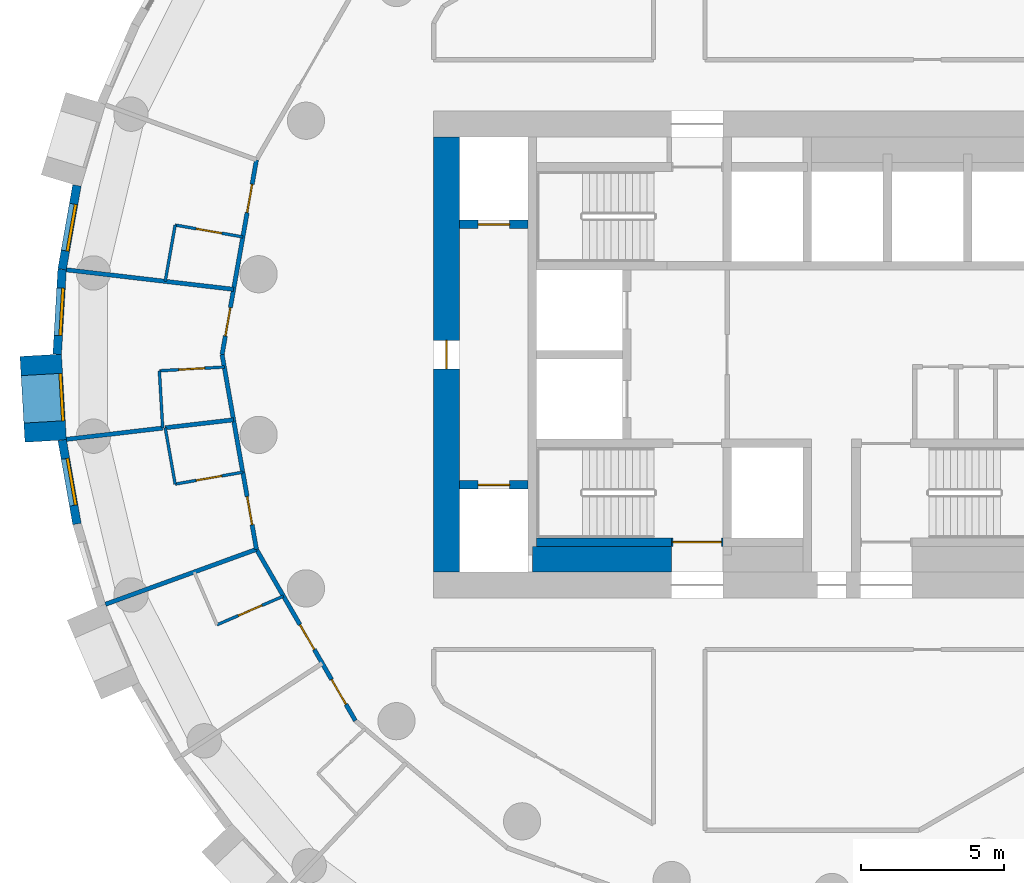
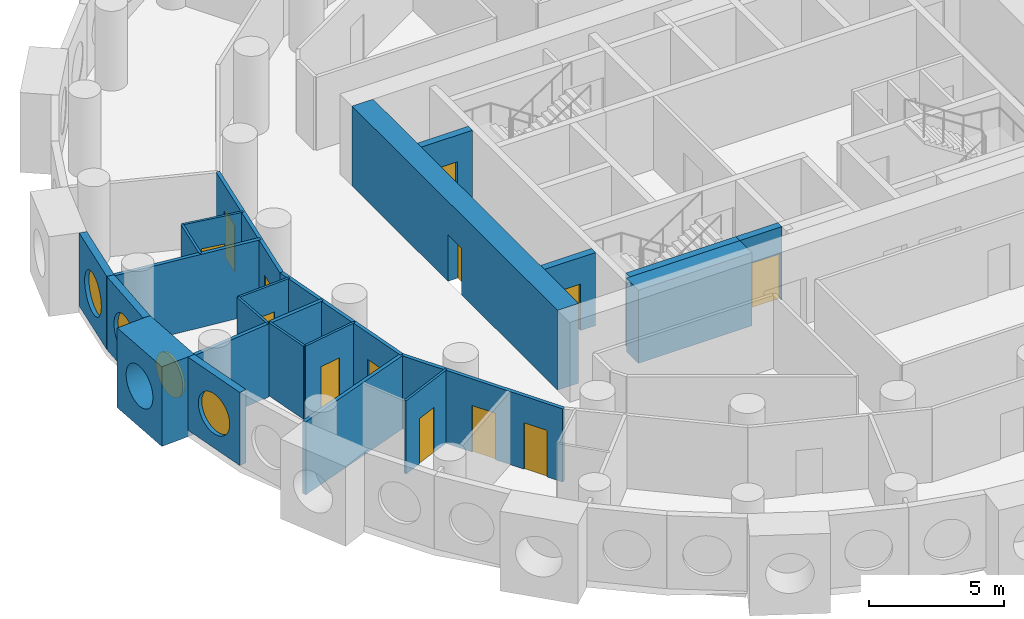
# One storey, part 3 of 9: 25 walls, 13 doors, 4 windows, 17 openings.
"""IFC4 building model written with IfcOpenShell, lengths in metres."""

from ifc_helpers import new_model, si_unit, direction, frame, frame_2d, origin, origin_2d, place, context, subcontext, project, spatial, rectangle, circle, extrude, material, layer, layer_set, type_object, element, fill, save


model = new_model("IFC4")

# Units and contexts
model_context = context("Model", 3, precision=1e-05, world=origin(), true_north=direction((0.0, 1.0)))
body_context = subcontext(model_context, "Body", "Model", "MODEL_VIEW")
ifc_project = project(units=[si_unit("LENGTHUNIT", "METRE"), si_unit("AREAUNIT", "SQUARE_METRE"), si_unit("VOLUMEUNIT", "CUBIC_METRE"), si_unit("PLANEANGLEUNIT", "RADIAN"), si_unit("MASSUNIT", "GRAM", prefix="KILO")], contexts=[model_context])

# Site, building, storey
site_placement = place(None, origin())
site = spatial("IfcSite", under=ifc_project, at=site_placement, CompositionType="ELEMENT")
building_placement = place(site_placement, origin())
building = spatial("IfcBuilding", under=site, at=building_placement, Name="Tracery Tower", CompositionType="ELEMENT")
storey_placement = place(building_placement, frame((0.0, 0.0, 205.199951171875)))
storey = spatial("IfcBuildingStorey", under=building, at=storey_placement, Name="L53", CompositionType="ELEMENT", Elevation=205.199951171875)

# Wall
ifc_material_1 = material(Name="Concrete C50/60", Category="concrete")
ifc_layer_1 = layer(ifc_material_1, 0.89990234375)
ifc_layer_set_1 = layer_set([ifc_layer_1], Name="Core strip wall 900 C50")
wall_type_1 = type_object("IfcWallType", Name="Core strip wall 900 C50", PredefinedType="SOLIDWALL", material=ifc_layer_set_1)
wall_1_placement = place(storey_placement, frame((-9.050048828125, -7.14990234375, 0.0), z_axis=(0.0, 0.0, 1.0), x_axis=(1.0, 0.0, 0.0)))
element("IfcWall", 1, at=wall_1_placement, inside=storey, type_object=wall_type_1, Name="L53 F thick S W", PredefinedType="SOLIDWALL", context=body_context, shape_type="SweptSolid", body=[
    extrude(rectangle(XDim=4.85009765625, YDim=0.89990234375, at=frame_2d((2.425048828125, 0.0))), origin(), (0.0, 0.0, 1.0), 3.300048828125),
])

# Wall, opening, door
ifc_material_2 = material(Name="Concrete C50/60", Category="concrete")
ifc_layer_2 = layer(ifc_material_2, 0.89990234375)
ifc_layer_set_2 = layer_set([ifc_layer_2], Name="Core wall 900 C50")
wall_type_2 = type_object("IfcWallType", Name="Core wall 900 C50", PredefinedType="SOLIDWALL", material=ifc_layer_set_2)
wall_2_placement = place(storey_placement, frame((-12.050048828125, -7.60009765625, 0.0), z_axis=(0.0, 0.0, 1.0), x_axis=(0.0, 1.0, 0.0)))
wall_2 = element("IfcWall", 2, at=wall_2_placement, inside=storey, type_object=wall_type_2, Name="L53 outer W", PredefinedType="SOLIDWALL", context=body_context, shape_type="SweptSolid", body=[
    extrude(rectangle(XDim=15.2001953125, YDim=0.89990234375, at=frame_2d((7.60009765625, 0.0))), origin(), (0.0, 0.0, 1.0), 3.60009765625),
])
opening_1_placement = place(wall_2_placement, frame((7.10009765625, 0.0, 0.0)))
opening_1 = element("IfcOpeningElement", 3, at=opening_1_placement, cuts=wall_2, Name="Opening KD18", PredefinedType="OPENING", context=body_context, shape_type="SweptSolid", body=[
    extrude(rectangle(XDim=1.0, YDim=2.10009765625, at=frame_2d((0.5, 1.050048828125))), frame((0.0, 0.449951171875, 0.0), z_axis=(0.0, -1.0, 0.0), x_axis=(1.0, 0.0, 0.0)), (0.0, 0.0, 1.0), 0.89990234375),
])
ifc_material_3 = material(Name="Steel fire door", Category="steel")
door_type_1 = type_object("IfcDoorType", Name="Core exit door 1000", OperationType="NOTDEFINED", PredefinedType="DOOR", material=ifc_material_3)
door_1_placement = place(opening_1_placement, origin())
door_1 = element("IfcDoor", 4, at=door_1_placement, inside=storey, type_object=door_type_1, Name="Core exit door", OperationType="DOUBLE_DOOR_SINGLE_SWING", OverallHeight=2.10009765625, OverallWidth=1.0, PredefinedType="DOOR", context=body_context, shape_type="SweptSolid", body=[
    extrude(rectangle(XDim=1.0, YDim=2.10009765625, at=frame_2d((0.5, 1.050048828125))), frame((0.0, 0.02490234375, 0.0), z_axis=(0.0, -1.0, 0.0), x_axis=(1.0, 0.0, 0.0)), (0.0, 0.0, 1.0), 0.050048828125),
])
fill(opening_1, door_1)

# Wall, opening, window
ifc_material_4 = material(Name="Precast concrete C50/60", Category="concrete")
ifc_layer_3 = layer(ifc_material_4, 1.449951171875)
ifc_layer_set_3 = layer_set([ifc_layer_3], Name="Deep-set bay unit 3000 x 3600, slab edge 300")
wall_type_3 = type_object("IfcWallType", Name="Deep-set bay unit 3000 x 3600, slab edge 300", PredefinedType="ELEMENTEDWALL", material=ifc_layer_set_3)
wall_3_placement = place(storey_placement, frame((-26.221923828125, -0.024658203125, -0.300048828125), z_axis=(0.0, 0.0, 1.0), x_axis=(0.058106596105, -0.998310384344, 0.0)))
wall_3 = element("IfcWall", 5, at=wall_3_placement, inside=storey, type_object=wall_type_3, Name="Deep-set bay unit 28 at L53", PredefinedType="ELEMENTEDWALL", context=body_context, shape_type="SweptSolid", body=[
    extrude(rectangle(XDim=3.0, YDim=1.449951171875, at=frame_2d((1.5, 0.0))), origin(), (0.0, 0.0, 1.0), 3.60009765625),
])
opening_2_placement = place(wall_3_placement, frame((1.5, 0.0, 1.85009765625)))
opening_2 = element("IfcOpeningElement", 6, at=opening_2_placement, cuts=wall_3, Name="Opening WN1", PredefinedType="OPENING", context=body_context, shape_type="SweptSolid", body=[
    extrude(circle(Radius=0.9000244140625, at=origin_2d()), frame((0.0, 0.73486328125, 0.0), z_axis=(0.0, -1.0, 0.0), x_axis=(1.0, 0.0, 0.0)), (0.0, 0.0, 1.0), 1.469970703125),
])
ifc_material_5 = material(Name="Aluminium frame with tinted double glazing", Category="aluminium")
window_type = type_object("IfcWindowType", Name="Round window 1800", PartitioningType="SINGLE_PANEL", PredefinedType="WINDOW", material=ifc_material_5)
window_1_placement = place(opening_2_placement, origin())
window_1 = element("IfcWindow", 7, at=window_1_placement, inside=storey, type_object=window_type, Name="Round window 28 at L53", OverallHeight=1.800048828125, OverallWidth=1.800048828125, PartitioningType="SINGLE_PANEL", PredefinedType="WINDOW", context=body_context, shape_type="SweptSolid", body=[
    extrude(circle(Radius=0.9000244140625, at=origin_2d()), frame((0.0, 0.69482421875, 0.0), z_axis=(0.0, -1.0, 0.0), x_axis=(1.0, 0.0, 0.0)), (0.0, 0.0, 1.0), 0.10009765625),
])
fill(opening_2, window_1)

ifc_material_6 = material(Name="Precast concrete C50/60", Category="concrete")
ifc_layer_4 = layer(ifc_material_6, 0.300048828125)
ifc_layer_set_4 = layer_set([ifc_layer_4], Name="Facade panel 3000 x 3300")
wall_type_4 = type_object("IfcWallType", Name="Facade panel 3000 x 3300", PredefinedType="SOLIDWALL", material=ifc_layer_set_4)
wall_4_placement = place(storey_placement, frame((-24.957763671875, 5.9052734375, 0.0), z_axis=(0.0, 0.0, 1.0), x_axis=(-0.173686952598, -0.984800915159, 0.0)))
wall_4 = element("IfcWall", 8, at=wall_4_placement, inside=storey, type_object=wall_type_4, Name="Facade panel 26 at L53", PredefinedType="SOLIDWALL", context=body_context, shape_type="SweptSolid", body=[
    extrude(rectangle(XDim=2.972900390625, YDim=0.300048828125, at=frame_2d((1.486328125, 0.0))), origin(), (0.0, 0.0, 1.0), 3.300048828125),
])
opening_3_placement = place(wall_4_placement, frame((1.486328125, 0.0, 1.5498046875)))
opening_3 = element("IfcOpeningElement", 9, at=opening_3_placement, cuts=wall_4, Name="Opening WN1", PredefinedType="OPENING", context=body_context, shape_type="SweptSolid", body=[
    extrude(circle(Radius=0.9000244140625, at=origin_2d()), frame((0.0, 0.159912109375, 0.0), z_axis=(0.0, -1.0, 0.0), x_axis=(1.0, 0.0, 0.0)), (0.0, 0.0, 1.0), 0.320068359375),
])
window_2_placement = place(opening_3_placement, origin())
window_2 = element("IfcWindow", 10, at=window_2_placement, inside=storey, type_object=window_type, Name="Round window 26 at L53", OverallHeight=1.800048828125, OverallWidth=1.800048828125, PartitioningType="SINGLE_PANEL", PredefinedType="WINDOW", context=body_context, shape_type="SweptSolid", body=[
    extrude(circle(Radius=0.9000244140625, at=origin_2d()), frame((0.0, 0.1201171875, 0.0), z_axis=(0.0, -1.0, 0.0), x_axis=(1.0, 0.0, 0.0)), (0.0, 0.0, 1.0), 0.10009765625),
])
fill(opening_3, window_2)

wall_5_placement = place(storey_placement, frame((-25.47412109375, 2.9775390625, 0.0), z_axis=(0.0, 0.0, 1.0), x_axis=(-0.058139540521, -0.998308466271, 0.0)))
wall_5 = element("IfcWall", 11, at=wall_5_placement, inside=storey, type_object=wall_type_4, Name="Facade panel 27 at L53", PredefinedType="SOLIDWALL", context=body_context, shape_type="SweptSolid", body=[
    extrude(rectangle(XDim=2.97314453125, YDim=0.300048828125, at=frame_2d((1.486572265625, 0.0))), origin(), (0.0, 0.0, 1.0), 3.300048828125),
])
opening_4_placement = place(wall_5_placement, frame((1.486328125, 0.0, 1.5498046875)))
opening_4 = element("IfcOpeningElement", 12, at=opening_4_placement, cuts=wall_5, Name="Opening WN1", PredefinedType="OPENING", context=body_context, shape_type="SweptSolid", body=[
    extrude(circle(Radius=0.9000244140625, at=origin_2d()), frame((0.0, 0.159912109375, 0.0), z_axis=(0.0, -1.0, 0.0), x_axis=(1.0, 0.0, 0.0)), (0.0, 0.0, 1.0), 0.320068359375),
])
window_3_placement = place(opening_4_placement, origin())
window_3 = element("IfcWindow", 13, at=window_3_placement, inside=storey, type_object=window_type, Name="Round window 27 at L53", OverallHeight=1.800048828125, OverallWidth=1.800048828125, PartitioningType="SINGLE_PANEL", PredefinedType="WINDOW", context=body_context, shape_type="SweptSolid", body=[
    extrude(circle(Radius=0.9000244140625, at=origin_2d()), frame((0.0, 0.1201171875, 0.0), z_axis=(0.0, -1.0, 0.0), x_axis=(1.0, 0.0, 0.0)), (0.0, 0.0, 1.0), 0.10009765625),
])
fill(opening_4, window_3)

wall_6_placement = place(storey_placement, frame((-25.472412109375, -2.987060546875, 0.0), z_axis=(0.0, 0.0, 1.0), x_axis=(0.173686952598, -0.984800915159, 0.0)))
wall_6 = element("IfcWall", 14, at=wall_6_placement, inside=storey, type_object=wall_type_4, Name="Facade panel 29 at L53", PredefinedType="SOLIDWALL", context=body_context, shape_type="SweptSolid", body=[
    extrude(rectangle(XDim=2.972900390625, YDim=0.300048828125, at=frame_2d((1.486328125, 0.0))), origin(), (0.0, 0.0, 1.0), 3.300048828125),
])
opening_5_placement = place(wall_6_placement, frame((1.486328125, 0.0, 1.5498046875)))
opening_5 = element("IfcOpeningElement", 15, at=opening_5_placement, cuts=wall_6, Name="Opening WN1", PredefinedType="OPENING", context=body_context, shape_type="SweptSolid", body=[
    extrude(circle(Radius=0.9000244140625, at=origin_2d()), frame((0.0, 0.159912109375, 0.0), z_axis=(0.0, -1.0, 0.0), x_axis=(1.0, 0.0, 0.0)), (0.0, 0.0, 1.0), 0.320068359375),
])
window_4_placement = place(opening_5_placement, origin())
window_4 = element("IfcWindow", 16, at=window_4_placement, inside=storey, type_object=window_type, Name="Round window 29 at L53", OverallHeight=1.800048828125, OverallWidth=1.800048828125, PartitioningType="SINGLE_PANEL", PredefinedType="WINDOW", context=body_context, shape_type="SweptSolid", body=[
    extrude(circle(Radius=0.9000244140625, at=origin_2d()), frame((0.0, 0.1201171875, 0.0), z_axis=(0.0, -1.0, 0.0), x_axis=(1.0, 0.0, 0.0)), (0.0, 0.0, 1.0), 0.10009765625),
])
fill(opening_5, window_4)

# Wall, opening, door
ifc_material_7 = material(Name="Plasterboard on steel studs", Category="steel")
ifc_layer_5 = layer(ifc_material_7, 0.10009765625)
ifc_layer_set_5 = layer_set([ifc_layer_5], Name="Partition 100 wet wall")
wall_type_5 = type_object("IfcWallType", Name="Partition 100 wet wall", PredefinedType="PARTITIONING", material=ifc_layer_set_5)
wall_7_placement = place(storey_placement, frame((-21.527099609375, 4.52392578125, 0.0), z_axis=(0.0, 0.0, 1.0), x_axis=(0.9848663854, -0.173315327969, 0.0)))
wall_7 = element("IfcWall", 17, at=wall_7_placement, inside=storey, type_object=wall_type_5, Name="Wet wall RB8-045", PredefinedType="PARTITIONING", context=body_context, shape_type="SweptSolid", body=[
    extrude(rectangle(XDim=2.400390625, YDim=0.10009765625, at=frame_2d((1.2001953125, 0.0))), origin(), (0.0, 0.0, 1.0), 3.300048828125),
])
opening_6_placement = place(wall_7_placement, frame((0.750244140625, 0.0, 0.0)))
opening_6 = element("IfcOpeningElement", 18, at=opening_6_placement, cuts=wall_7, Name="Opening RB8-09", PredefinedType="OPENING", context=body_context, shape_type="SweptSolid", body=[
    extrude(rectangle(XDim=0.89990234375, YDim=2.0400390625, at=frame_2d((0.449951171875, 1.02001953125))), frame((0.0, 0.050048828125, 0.0), z_axis=(0.0, -1.0, 0.0), x_axis=(1.0, 0.0, 0.0)), (0.0, 0.0, 1.0), 0.10009765625),
])
ifc_material_8 = material(Name="Timber door leaf", Category="wood")
door_type_2 = type_object("IfcDoorType", Name="Door en-suite 900", OperationType="NOTDEFINED", PredefinedType="DOOR", material=ifc_material_8)
door_2_placement = place(opening_6_placement, origin())
door_2 = element("IfcDoor", 19, at=door_2_placement, inside=storey, type_object=door_type_2, Name="En-suite door RB8-09", OperationType="SINGLE_SWING_LEFT", OverallHeight=2.0400390625, OverallWidth=0.89990234375, PredefinedType="DOOR", context=body_context, shape_type="SweptSolid", body=[
    extrude(rectangle(XDim=0.89990234375, YDim=2.0400390625, at=frame_2d((0.449951171875, 1.02001953125))), frame((0.0, 0.02490234375, 0.0), z_axis=(0.0, -1.0, 0.0), x_axis=(1.0, 0.0, 0.0)), (0.0, 0.0, 1.0), 0.050048828125),
])
fill(opening_6, door_2)

# Wall
wall_8_placement = place(storey_placement, frame((-21.8740234375, 2.556884765625, 0.0), z_axis=(0.0, 0.0, 1.0), x_axis=(0.17368771375, 0.984800780916, 0.0)))
element("IfcWall", 20, at=wall_8_placement, inside=storey, type_object=wall_type_5, Name="Wet wall RB8-046", PredefinedType="PARTITIONING", context=body_context, shape_type="SweptSolid", body=[
    extrude(rectangle(XDim=1.997314453125, YDim=0.10009765625, at=frame_2d((0.99853515625, 0.0))), origin(), (0.0, 0.0, 1.0), 3.300048828125),
])

# Wall, opening, door
wall_9_placement = place(storey_placement, frame((-22.0791015625, -0.56689453125, 0.0), z_axis=(0.0, 0.0, 1.0), x_axis=(0.998314893836, 0.058029068102, 0.0)))
wall_9 = element("IfcWall", 21, at=wall_9_placement, inside=storey, type_object=wall_type_5, Name="Wet wall RB8-048", PredefinedType="PARTITIONING", context=body_context, shape_type="SweptSolid", body=[
    extrude(rectangle(XDim=2.27197265625, YDim=0.10009765625, at=frame_2d((1.135986328125, 0.0))), origin(), (0.0, 0.0, 1.0), 3.300048828125),
])
opening_7_placement = place(wall_9_placement, frame((0.685791015625, 0.0, 0.0)))
opening_7 = element("IfcOpeningElement", 22, at=opening_7_placement, cuts=wall_9, Name="Opening RB8-11", PredefinedType="OPENING", context=body_context, shape_type="SweptSolid", body=[
    extrude(rectangle(XDim=0.89990234375, YDim=2.0400390625, at=frame_2d((0.449951171875, 1.02001953125))), frame((0.0, 0.050048828125, 0.0), z_axis=(0.0, -1.0, 0.0), x_axis=(1.0, 0.0, 0.0)), (0.0, 0.0, 1.0), 0.10009765625),
])
door_3_placement = place(opening_7_placement, origin())
door_3 = element("IfcDoor", 23, at=door_3_placement, inside=storey, type_object=door_type_2, Name="En-suite door RB8-11", OperationType="SINGLE_SWING_RIGHT", OverallHeight=2.0400390625, OverallWidth=0.89990234375, PredefinedType="DOOR", context=body_context, shape_type="SweptSolid", body=[
    extrude(rectangle(XDim=0.89990234375, YDim=2.0400390625, at=frame_2d((0.449951171875, 1.02001953125))), frame((0.0, 0.02490234375, 0.0), z_axis=(0.0, -1.0, 0.0), x_axis=(1.0, 0.0, 0.0)), (0.0, 0.0, 1.0), 0.050048828125),
])
fill(opening_7, door_3)

# Walls
wall_10_placement = place(storey_placement, frame((-22.0791015625, -0.56689453125, 0.0), z_axis=(0.0, 0.0, 1.0), x_axis=(0.058493425416, -0.998287793766, 0.0)))
element("IfcWall", 24, at=wall_10_placement, inside=storey, type_object=wall_type_5, Name="Wet wall RB8-049", PredefinedType="PARTITIONING", context=body_context, shape_type="SweptSolid", body=[
    extrude(rectangle(XDim=2.00341796875, YDim=0.10009765625, at=frame_2d((1.001708984375, 0.0))), origin(), (0.0, 0.0, 1.0), 3.300048828125),
])
wall_11_placement = place(storey_placement, frame((-21.8740234375, -2.556884765625, 0.0), z_axis=(0.0, 0.0, 1.0), x_axis=(0.17368771375, -0.984800780916, 0.0)))
element("IfcWall", 25, at=wall_11_placement, inside=storey, type_object=wall_type_5, Name="Wet wall RB8-052", PredefinedType="PARTITIONING", context=body_context, shape_type="SweptSolid", body=[
    extrude(rectangle(XDim=1.997314453125, YDim=0.10009765625, at=frame_2d((0.99853515625, 0.0))), origin(), (0.0, 0.0, 1.0), 3.300048828125),
])

# Wall, opening, door
wall_12_placement = place(storey_placement, frame((-21.527099609375, -4.52392578125, 0.0), z_axis=(0.0, 0.0, 1.0), x_axis=(0.9848663854, 0.173315327969, 0.0)))
wall_12 = element("IfcWall", 26, at=wall_12_placement, inside=storey, type_object=wall_type_5, Name="Wet wall RB8-053", PredefinedType="PARTITIONING", context=body_context, shape_type="SweptSolid", body=[
    extrude(rectangle(XDim=2.400390625, YDim=0.10009765625, at=frame_2d((1.2001953125, 0.0))), origin(), (0.0, 0.0, 1.0), 3.300048828125),
])
opening_8_placement = place(wall_12_placement, frame((0.75, 0.0, 0.0)))
opening_8 = element("IfcOpeningElement", 27, at=opening_8_placement, cuts=wall_12, Name="Opening RB8-13", PredefinedType="OPENING", context=body_context, shape_type="SweptSolid", body=[
    extrude(rectangle(XDim=0.89990234375, YDim=2.0400390625, at=frame_2d((0.449951171875, 1.02001953125))), frame((0.0, 0.050048828125, 0.0), z_axis=(0.0, -1.0, 0.0), x_axis=(1.0, 0.0, 0.0)), (0.0, 0.0, 1.0), 0.10009765625),
])
door_4_placement = place(opening_8_placement, origin())
door_4 = element("IfcDoor", 28, at=door_4_placement, inside=storey, type_object=door_type_2, Name="En-suite door RB8-13", OperationType="SINGLE_SWING_LEFT", OverallHeight=2.0400390625, OverallWidth=0.89990234375, PredefinedType="DOOR", context=body_context, shape_type="SweptSolid", body=[
    extrude(rectangle(XDim=0.89990234375, YDim=2.0400390625, at=frame_2d((0.449951171875, 1.02001953125))), frame((0.0, 0.02490234375, 0.0), z_axis=(0.0, -1.0, 0.0), x_axis=(1.0, 0.0, 0.0)), (0.0, 0.0, 1.0), 0.050048828125),
])
fill(opening_8, door_4)

wall_13_placement = place(storey_placement, frame((-20.06689453125, -9.43701171875, 0.0), z_axis=(0.0, 0.0, 1.0), x_axis=(0.918293825202, 0.395899546091, 0.0)))
wall_13 = element("IfcWall", 29, at=wall_13_placement, inside=storey, type_object=wall_type_5, Name="Wet wall RB8-056", PredefinedType="PARTITIONING", context=body_context, shape_type="SweptSolid", body=[
    extrude(rectangle(XDim=2.5283203125, YDim=0.10009765625, at=frame_2d((1.26416015625, 0.0))), origin(), (0.0, 0.0, 1.0), 3.300048828125),
])
opening_9_placement = place(wall_13_placement, frame((0.81396484375, 0.0, 0.0)))
opening_9 = element("IfcOpeningElement", 30, at=opening_9_placement, cuts=wall_13, Name="Opening RB8-15", PredefinedType="OPENING", context=body_context, shape_type="SweptSolid", body=[
    extrude(rectangle(XDim=0.89990234375, YDim=2.0400390625, at=frame_2d((0.449951171875, 1.02001953125))), frame((0.0, 0.050048828125, 0.0), z_axis=(0.0, -1.0, 0.0), x_axis=(1.0, 0.0, 0.0)), (0.0, 0.0, 1.0), 0.10009765625),
])
door_5_placement = place(opening_9_placement, origin())
door_5 = element("IfcDoor", 31, at=door_5_placement, inside=storey, type_object=door_type_2, Name="En-suite door RB8-15", OperationType="SINGLE_SWING_LEFT", OverallHeight=2.0400390625, OverallWidth=0.89990234375, PredefinedType="DOOR", context=body_context, shape_type="SweptSolid", body=[
    extrude(rectangle(XDim=0.89990234375, YDim=2.0400390625, at=frame_2d((0.449951171875, 1.02001953125))), frame((0.0, 0.02490234375, 0.0), z_axis=(0.0, -1.0, 0.0), x_axis=(1.0, 0.0, 0.0)), (0.0, 0.0, 1.0), 0.050048828125),
])
fill(opening_9, door_5)

# Walls
ifc_material_9 = material(Name="Plasterboard on steel studs", Category="steel")
ifc_layer_6 = layer(ifc_material_9, 0.14990234375)
ifc_layer_set_6 = layer_set([ifc_layer_6], Name="Partition 150 acoustic unit wall")
wall_type_6 = type_object("IfcWallType", Name="Partition 150 acoustic unit wall", PredefinedType="PARTITIONING", material=ifc_layer_set_6)
wall_14_placement = place(storey_placement, frame((-25.324951171875, 2.9599609375, 0.0), z_axis=(0.0, 0.0, 1.0), x_axis=(0.993249747924, -0.115995423397, 0.0)))
element("IfcWall", 32, at=wall_14_placement, inside=storey, type_object=wall_type_6, Name="Unit wall RB8-047", PredefinedType="PARTITIONING", context=body_context, shape_type="SweptSolid", body=[
    extrude(rectangle(XDim=5.878662109375, YDim=0.14990234375, at=frame_2d((2.939453125, 0.0))), origin(), (0.0, 0.0, 1.0), 3.300048828125),
])
wall_15_placement = place(storey_placement, frame((-25.324951171875, -2.9599609375, 0.0), z_axis=(0.0, 0.0, 1.0), x_axis=(0.993238911344, 0.11608817766, 0.0)))
element("IfcWall", 33, at=wall_15_placement, inside=storey, type_object=wall_type_6, Name="Unit wall RB8-050", PredefinedType="PARTITIONING", context=body_context, shape_type="SweptSolid", body=[
    extrude(rectangle(XDim=3.385986328125, YDim=0.14990234375, at=frame_2d((1.69287109375, 0.0))), origin(), (0.0, 0.0, 1.0), 3.300048828125),
])
wall_16_placement = place(storey_placement, frame((-21.8779296875, -2.556884765625, 0.0), z_axis=(0.0, 0.0, 1.0), x_axis=(0.99327460921, 0.115782341913, 0.0)))
element("IfcWall", 34, at=wall_16_placement, inside=storey, type_object=wall_type_6, Name="Unit wall RB8-051", PredefinedType="PARTITIONING", context=body_context, shape_type="SweptSolid", body=[
    extrude(rectangle(XDim=2.407958984375, YDim=0.14990234375, at=frame_2d((1.2041015625, 0.0))), origin(), (0.0, 0.0, 1.0), 3.300048828125),
])
wall_17_placement = place(storey_placement, frame((-23.9599609375, -8.720947265625, 0.0), z_axis=(0.0, 0.0, 1.0), x_axis=(0.939700637852, 0.341998115814, 0.0)))
element("IfcWall", 35, at=wall_17_placement, inside=storey, type_object=wall_type_6, Name="Unit wall RB8-054", PredefinedType="PARTITIONING", context=body_context, shape_type="SweptSolid", body=[
    extrude(rectangle(XDim=5.6103515625, YDim=0.14990234375, at=frame_2d((2.80517578125, 0.0))), origin(), (0.0, 0.0, 1.0), 3.300048828125),
])

# Wall, openings, doors
ifc_material_10 = material(Name="Plasterboard on steel studs", Category="steel")
ifc_layer_7 = layer(ifc_material_10, 0.14990234375)
ifc_layer_set_7 = layer_set([ifc_layer_7], Name="Partition 150 corridor wall")
wall_type_7 = type_object("IfcWallType", Name="Partition 150 corridor wall", PredefinedType="PARTITIONING", material=ifc_layer_set_7)
wall_18_placement = place(storey_placement, frame((-19.88818359375, 0.0, 0.0), z_axis=(0.0, 0.0, 1.0), x_axis=(0.173763153374, 0.984787472772, 0.0)))
wall_18 = element("IfcWall", 36, at=wall_18_placement, inside=storey, type_object=wall_type_7, Name="Corridor wall RB8-027", PredefinedType="PARTITIONING", context=body_context, shape_type="SweptSolid", body=[
    extrude(rectangle(XDim=6.906982421875, YDim=0.14990234375, at=frame_2d((3.45361328125, 0.0))), origin(), (0.0, 0.0, 1.0), 3.300048828125),
])
opening_10_placement = place(wall_18_placement, frame((5.037353515625, 0.0, 0.0)))
opening_10 = element("IfcOpeningElement", 37, at=opening_10_placement, cuts=wall_18, Name="Opening RB8-10", PredefinedType="OPENING", context=body_context, shape_type="SweptSolid", body=[
    extrude(rectangle(XDim=1.0, YDim=2.10009765625, at=frame_2d((0.5, 1.050048828125))), frame((0.0, 0.074951171875, 0.0), z_axis=(0.0, -1.0, 0.0), x_axis=(1.0, 0.0, 0.0)), (0.0, 0.0, 1.0), 0.14990234375),
])
opening_11_placement = place(wall_18_placement, frame((0.658935546875, 0.0, 0.0)))
opening_11 = element("IfcOpeningElement", 38, at=opening_11_placement, cuts=wall_18, Name="Opening RB8-12", PredefinedType="OPENING", context=body_context, shape_type="SweptSolid", body=[
    extrude(rectangle(XDim=1.0, YDim=2.10009765625, at=frame_2d((0.5, 1.050048828125))), frame((0.0, 0.074951171875, 0.0), z_axis=(0.0, -1.0, 0.0), x_axis=(1.0, 0.0, 0.0)), (0.0, 0.0, 1.0), 0.14990234375),
])
ifc_material_11 = material(Name="Timber door leaf", Category="wood")
door_type_3 = type_object("IfcDoorType", Name="Door unit entrance 1000", OperationType="NOTDEFINED", PredefinedType="DOOR", material=ifc_material_11)
door_6_placement = place(opening_10_placement, origin())
door_6 = element("IfcDoor", 39, at=door_6_placement, inside=storey, type_object=door_type_3, Name="Unit entrance door RB8-10", OperationType="SINGLE_SWING_RIGHT", OverallHeight=2.10009765625, OverallWidth=1.0, PredefinedType="DOOR", context=body_context, shape_type="SweptSolid", body=[
    extrude(rectangle(XDim=1.0, YDim=2.10009765625, at=frame_2d((0.5, 1.050048828125))), frame((0.0, 0.02490234375, 0.0), z_axis=(0.0, -1.0, 0.0), x_axis=(1.0, 0.0, 0.0)), (0.0, 0.0, 1.0), 0.050048828125),
])
fill(opening_10, door_6)
door_7_placement = place(opening_11_placement, origin())
door_7 = element("IfcDoor", 40, at=door_7_placement, inside=storey, type_object=door_type_3, Name="Unit entrance door RB8-12", OperationType="SINGLE_SWING_RIGHT", OverallHeight=2.10009765625, OverallWidth=1.0, PredefinedType="DOOR", context=body_context, shape_type="SweptSolid", body=[
    extrude(rectangle(XDim=1.0, YDim=2.10009765625, at=frame_2d((0.5, 1.050048828125))), frame((0.0, 0.02490234375, 0.0), z_axis=(0.0, -1.0, 0.0), x_axis=(1.0, 0.0, 0.0)), (0.0, 0.0, 1.0), 0.050048828125),
])
fill(opening_11, door_7)

# Wall
wall_19_placement = place(storey_placement, frame((-19.887939453125, 0.0, 0.0), z_axis=(0.0, 0.0, 1.0), x_axis=(0.1727845501, -0.984959643461, 0.0)))
element("IfcWall", 41, at=wall_19_placement, inside=storey, type_object=wall_type_7, Name="Corridor wall RB8-028", PredefinedType="PARTITIONING", context=body_context, shape_type="SweptSolid", body=[
    extrude(rectangle(XDim=4.17529296875, YDim=0.14990234375, at=frame_2d((2.087646484375, 0.0))), origin(), (0.0, 0.0, 1.0), 3.300048828125),
])

# Wall, opening, door
wall_20_placement = place(storey_placement, frame((-19.1640625, -4.10400390625, 0.0), z_axis=(0.0, 0.0, 1.0), x_axis=(0.173770083029, -0.984786250028, 0.0)))
wall_20 = element("IfcWall", 42, at=wall_20_placement, inside=storey, type_object=wall_type_7, Name="Corridor wall RB8-029", PredefinedType="PARTITIONING", context=body_context, shape_type="SweptSolid", body=[
    extrude(rectangle(XDim=2.73974609375, YDim=0.14990234375, at=frame_2d((1.369873046875, 0.0))), origin(), (0.0, 0.0, 1.0), 3.300048828125),
])
opening_12_placement = place(wall_20_placement, frame((0.86962890625, 0.0, 0.0)))
opening_12 = element("IfcOpeningElement", 43, at=opening_12_placement, cuts=wall_20, Name="Opening RB8-14", PredefinedType="OPENING", context=body_context, shape_type="SweptSolid", body=[
    extrude(rectangle(XDim=1.0, YDim=2.10009765625, at=frame_2d((0.5, 1.050048828125))), frame((0.0, 0.074951171875, 0.0), z_axis=(0.0, -1.0, 0.0), x_axis=(1.0, 0.0, 0.0)), (0.0, 0.0, 1.0), 0.14990234375),
])
door_8_placement = place(opening_12_placement, origin())
door_8 = element("IfcDoor", 44, at=door_8_placement, inside=storey, type_object=door_type_3, Name="Unit entrance door RB8-14", OperationType="SINGLE_SWING_RIGHT", OverallHeight=2.10009765625, OverallWidth=1.0, PredefinedType="DOOR", context=body_context, shape_type="SweptSolid", body=[
    extrude(rectangle(XDim=1.0, YDim=2.10009765625, at=frame_2d((0.5, 1.050048828125))), frame((0.0, 0.02490234375, 0.0), z_axis=(0.0, -1.0, 0.0), x_axis=(1.0, 0.0, 0.0)), (0.0, 0.0, 1.0), 0.050048828125),
])
fill(opening_12, door_8)

# Wall, openings, doors
wall_21_placement = place(storey_placement, frame((-18.68798828125, -6.802001953125, 0.0), z_axis=(0.0, 0.0, 1.0), x_axis=(0.500009041241, -0.866020183759, 0.0)))
wall_21 = element("IfcWall", 45, at=wall_21_placement, inside=storey, type_object=wall_type_7, Name="Corridor wall RB8-030", PredefinedType="PARTITIONING", context=body_context, shape_type="SweptSolid", body=[
    extrude(rectangle(XDim=6.906982421875, YDim=0.14990234375, at=frame_2d((3.45361328125, 0.0))), origin(), (0.0, 0.0, 1.0), 3.300048828125),
])
opening_13_placement = place(wall_21_placement, frame((3.0400390625, 0.0, 0.0)))
opening_13 = element("IfcOpeningElement", 46, at=opening_13_placement, cuts=wall_21, Name="Opening RB8-16", PredefinedType="OPENING", context=body_context, shape_type="SweptSolid", body=[
    extrude(rectangle(XDim=1.0, YDim=2.10009765625, at=frame_2d((0.5, 1.050048828125))), frame((0.0, 0.074951171875, 0.0), z_axis=(0.0, -1.0, 0.0), x_axis=(1.0, 0.0, 0.0)), (0.0, 0.0, 1.0), 0.14990234375),
])
opening_14_placement = place(wall_21_placement, frame((5.2490234375, 0.0, 0.0)))
opening_14 = element("IfcOpeningElement", 47, at=opening_14_placement, cuts=wall_21, Name="Opening RB8-18", PredefinedType="OPENING", context=body_context, shape_type="SweptSolid", body=[
    extrude(rectangle(XDim=1.0, YDim=2.10009765625, at=frame_2d((0.5, 1.050048828125))), frame((0.0, 0.074951171875, 0.0), z_axis=(0.0, -1.0, 0.0), x_axis=(1.0, 0.0, 0.0)), (0.0, 0.0, 1.0), 0.14990234375),
])
door_9_placement = place(opening_13_placement, origin())
door_9 = element("IfcDoor", 48, at=door_9_placement, inside=storey, type_object=door_type_3, Name="Unit entrance door RB8-16", OperationType="SINGLE_SWING_LEFT", OverallHeight=2.10009765625, OverallWidth=1.0, PredefinedType="DOOR", context=body_context, shape_type="SweptSolid", body=[
    extrude(rectangle(XDim=1.0, YDim=2.10009765625, at=frame_2d((0.5, 1.050048828125))), frame((0.0, 0.02490234375, 0.0), z_axis=(0.0, -1.0, 0.0), x_axis=(1.0, 0.0, 0.0)), (0.0, 0.0, 1.0), 0.050048828125),
])
fill(opening_13, door_9)
door_10_placement = place(opening_14_placement, origin())
door_10 = element("IfcDoor", 49, at=door_10_placement, inside=storey, type_object=door_type_3, Name="Unit entrance door RB8-18", OperationType="SINGLE_SWING_LEFT", OverallHeight=2.10009765625, OverallWidth=1.0, PredefinedType="DOOR", context=body_context, shape_type="SweptSolid", body=[
    extrude(rectangle(XDim=1.0, YDim=2.10009765625, at=frame_2d((0.5, 1.050048828125))), frame((0.0, 0.02490234375, 0.0), z_axis=(0.0, -1.0, 0.0), x_axis=(1.0, 0.0, 0.0)), (0.0, 0.0, 1.0), 0.050048828125),
])
fill(opening_14, door_10)

# Wall, opening, door
ifc_material_12 = material(Name="Concrete C50/60", Category="concrete")
ifc_layer_8 = layer(ifc_material_12, 0.300048828125)
ifc_layer_set_8 = layer_set([ifc_layer_8], Name="Shaft wall 300 C50")
wall_type_8 = type_object("IfcWallType", Name="Shaft wall 300 C50", PredefinedType="SOLIDWALL", material=ifc_layer_set_8)
wall_22_placement = place(storey_placement, frame((-11.60009765625, -4.550048828125, 0.0), z_axis=(0.0, 0.0, 1.0), x_axis=(1.0, 0.0, 0.0)))
wall_22 = element("IfcWall", 50, at=wall_22_placement, inside=storey, type_object=wall_type_8, Name="L53 MR W -4.55", PredefinedType="SOLIDWALL", context=body_context, shape_type="SweptSolid", body=[
    extrude(rectangle(XDim=2.400146484375, YDim=0.300048828125, at=frame_2d((1.2001953125, 0.0))), origin(), (0.0, 0.0, 1.0), 3.300048828125),
])
opening_15_placement = place(wall_22_placement, frame((0.64990234375, 0.0, 0.0)))
opening_15 = element("IfcOpeningElement", 51, at=opening_15_placement, cuts=wall_22, Name="Opening KD50", PredefinedType="OPENING", context=body_context, shape_type="SweptSolid", body=[
    extrude(rectangle(XDim=1.10009765625, YDim=2.10009765625, at=frame_2d((0.550048828125, 1.050048828125))), frame((0.0, 0.14990234375, 0.0), z_axis=(0.0, -1.0, 0.0), x_axis=(1.0, 0.0, 0.0)), (0.0, 0.0, 1.0), 0.300048828125),
])
ifc_material_13 = material(Name="Steel fire door", Category="steel")
door_type_4 = type_object("IfcDoorType", Name="Landing door 1100", OperationType="NOTDEFINED", PredefinedType="DOOR", material=ifc_material_13)
door_11_placement = place(opening_15_placement, origin())
door_11 = element("IfcDoor", 52, at=door_11_placement, inside=storey, type_object=door_type_4, Name="Landing door MR1", OperationType="SLIDING_TO_RIGHT", OverallHeight=2.10009765625, OverallWidth=1.10009765625, PredefinedType="DOOR", context=body_context, shape_type="SweptSolid", body=[
    extrude(rectangle(XDim=1.10009765625, YDim=2.10009765625, at=frame_2d((0.550048828125, 1.050048828125))), frame((0.0, 0.02490234375, 0.0), z_axis=(0.0, -1.0, 0.0), x_axis=(1.0, 0.0, 0.0)), (0.0, 0.0, 1.0), 0.050048828125),
])
fill(opening_15, door_11)

wall_23_placement = place(storey_placement, frame((-11.60009765625, 4.550048828125, 0.0), z_axis=(0.0, 0.0, 1.0), x_axis=(1.0, 0.0, 0.0)))
wall_23 = element("IfcWall", 53, at=wall_23_placement, inside=storey, type_object=wall_type_8, Name="L53 MR W +4.55", PredefinedType="SOLIDWALL", context=body_context, shape_type="SweptSolid", body=[
    extrude(rectangle(XDim=2.400146484375, YDim=0.300048828125, at=frame_2d((1.2001953125, 0.0))), origin(), (0.0, 0.0, 1.0), 3.300048828125),
])
opening_16_placement = place(wall_23_placement, frame((0.64990234375, 0.0, 0.0)))
opening_16 = element("IfcOpeningElement", 54, at=opening_16_placement, cuts=wall_23, Name="Opening KD49", PredefinedType="OPENING", context=body_context, shape_type="SweptSolid", body=[
    extrude(rectangle(XDim=1.10009765625, YDim=2.10009765625, at=frame_2d((0.550048828125, 1.050048828125))), frame((0.0, 0.14990234375, 0.0), z_axis=(0.0, -1.0, 0.0), x_axis=(1.0, 0.0, 0.0)), (0.0, 0.0, 1.0), 0.300048828125),
])
door_12_placement = place(opening_16_placement, origin())
door_12 = element("IfcDoor", 55, at=door_12_placement, inside=storey, type_object=door_type_4, Name="Landing door MR2", OperationType="SLIDING_TO_LEFT", OverallHeight=2.10009765625, OverallWidth=1.10009765625, PredefinedType="DOOR", context=body_context, shape_type="SweptSolid", body=[
    extrude(rectangle(XDim=1.10009765625, YDim=2.10009765625, at=frame_2d((0.550048828125, 1.050048828125))), frame((0.0, 0.02490234375, 0.0), z_axis=(0.0, -1.0, 0.0), x_axis=(1.0, 0.0, 0.0)), (0.0, 0.0, 1.0), 0.050048828125),
])
fill(opening_16, door_12)

# Wall
ifc_material_14 = material(Name="Concrete C50/60", Category="concrete")
ifc_layer_9 = layer(ifc_material_14, 0.300048828125)
ifc_layer_set_9 = layer_set([ifc_layer_9], Name="Stair wall 300 C50")
wall_type_9 = type_object("IfcWallType", Name="Stair wall 300 C50", PredefinedType="SOLIDWALL", material=ifc_layer_set_9)
wall_24_placement = place(storey_placement, frame((-8.89990234375, -6.550048828125, 0.0), z_axis=(0.0, 0.0, 1.0), x_axis=(1.0, 0.0, 0.0)))
element("IfcWall", 56, at=wall_24_placement, inside=storey, type_object=wall_type_9, Name="L53 F stair strip S W", PredefinedType="SOLIDWALL", context=body_context, shape_type="SweptSolid", body=[
    extrude(rectangle(XDim=4.699951171875, YDim=0.300048828125, at=frame_2d((2.35009765625, 0.0))), origin(), (0.0, 0.0, 1.0), 3.300048828125),
])

# Wall, opening, door
wall_25_placement = place(storey_placement, frame((-4.199951171875, -6.550048828125, 0.0), z_axis=(0.0, 0.0, 1.0), x_axis=(1.0, 0.0, 0.0)))
wall_25 = element("IfcWall", 57, at=wall_25_placement, inside=storey, type_object=wall_type_9, Name="L53 F stair S W", PredefinedType="SOLIDWALL", context=body_context, shape_type="SweptSolid", body=[
    extrude(rectangle(XDim=1.800048828125, YDim=0.300048828125, at=frame_2d((0.89990234375, 0.0))), origin(), (0.0, 0.0, 1.0), 3.300048828125),
])
opening_17_placement = place(wall_25_placement, frame((0.050048828125, 0.0, 0.0)))
opening_17 = element("IfcOpeningElement", 58, at=opening_17_placement, cuts=wall_25, Name="Opening KD3", PredefinedType="OPENING", context=body_context, shape_type="SweptSolid", body=[
    extrude(rectangle(XDim=1.699951171875, YDim=2.10009765625, at=frame_2d((0.85009765625, 1.050048828125))), frame((0.0, 0.14990234375, 0.0), z_axis=(0.0, -1.0, 0.0), x_axis=(1.0, 0.0, 0.0)), (0.0, 0.0, 1.0), 0.300048828125),
])
ifc_material_15 = material(Name="Steel fire door", Category="steel")
door_type_5 = type_object("IfcDoorType", Name="Core stair door 1700 double", OperationType="NOTDEFINED", PredefinedType="DOOR", material=ifc_material_15)
door_13_placement = place(opening_17_placement, origin())
door_13 = element("IfcDoor", 59, at=door_13_placement, inside=storey, type_object=door_type_5, Name="Stair door vest", OperationType="DOUBLE_DOOR_SINGLE_SWING", OverallHeight=2.10009765625, OverallWidth=1.699951171875, PredefinedType="DOOR", context=body_context, shape_type="SweptSolid", body=[
    extrude(rectangle(XDim=1.699951171875, YDim=2.10009765625, at=frame_2d((0.85009765625, 1.050048828125))), frame((0.0, 0.02490234375, 0.0), z_axis=(0.0, -1.0, 0.0), x_axis=(1.0, 0.0, 0.0)), (0.0, 0.0, 1.0), 0.050048828125),
])
fill(opening_17, door_13)

save(model, "model.ifc")
